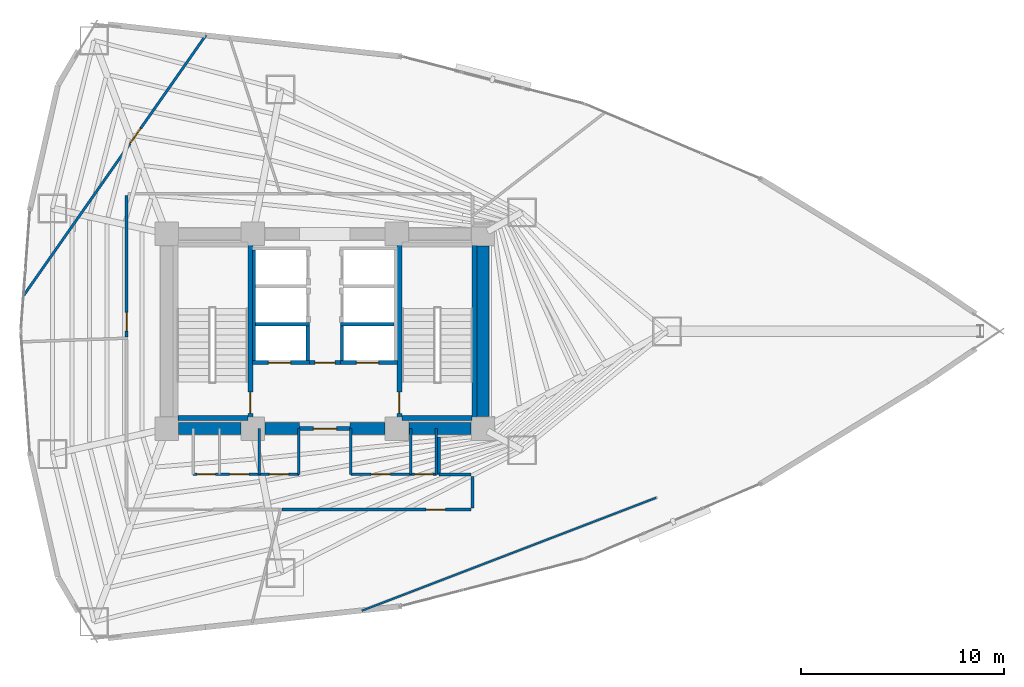
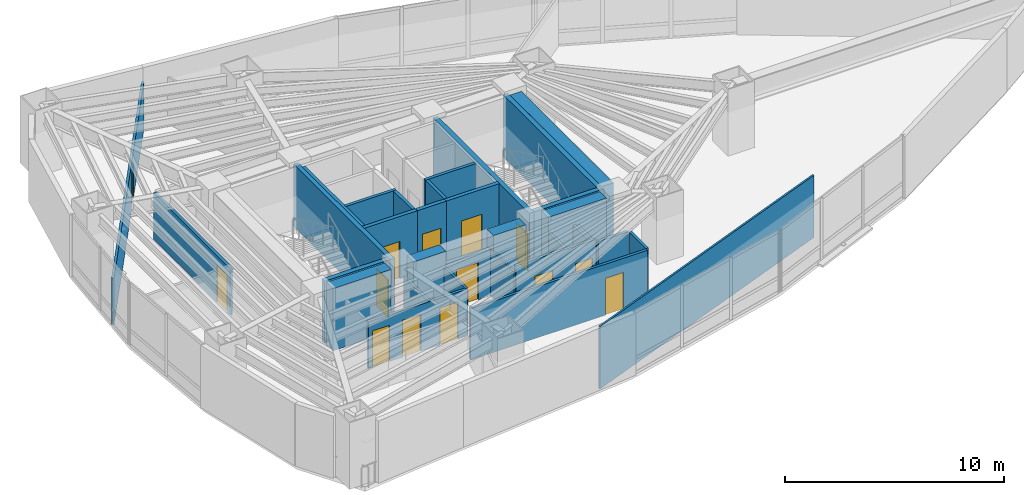
# One storey, part 15 of 20: 33 walls, 14 doors, 14 openings.
"""IFC4 building model written with IfcOpenShell, lengths in metres."""

from ifc_helpers import new_model, si_unit, direction, frame, frame_2d, origin, place, context, subcontext, project, spatial, rectangle, extrude, material, layer, layer_set, type_object, element, fill, save


model = new_model("IFC4")

# Units and contexts
model_context = context("Model", 3, precision=1e-05, world=origin(), true_north=direction((0.0, 1.0)))
body_context = subcontext(model_context, "Body", "Model", "MODEL_VIEW")
ifc_project = project(units=[si_unit("LENGTHUNIT", "METRE"), si_unit("AREAUNIT", "SQUARE_METRE"), si_unit("VOLUMEUNIT", "CUBIC_METRE"), si_unit("PLANEANGLEUNIT", "RADIAN"), si_unit("MASSUNIT", "GRAM", prefix="KILO")], contexts=[model_context])

# Site, building, storey
site_placement = place(None, origin())
site = spatial("IfcSite", under=ifc_project, at=site_placement, CompositionType="ELEMENT")
building_placement = place(site_placement, origin())
building = spatial("IfcBuilding", under=site, at=building_placement, Name="Menara Vayukalpa", CompositionType="ELEMENT")
storey_placement = place(building_placement, frame((0.0, 0.0, 61.080078125)))
storey = spatial("IfcBuildingStorey", under=building, at=storey_placement, Name="L14", CompositionType="ELEMENT", Elevation=61.080078125)

# Walls
ifc_material_1 = material(Name="Concrete C70/85", Category="concrete")
ifc_layer_1 = layer(ifc_material_1, 0.60009765625)
ifc_layer_set_1 = layer_set([ifc_layer_1], Name="Concrete C70/85")
wall_type_1 = type_object("IfcWallType", Name="WAL-CW600", PredefinedType="SHEAR", material=ifc_layer_set_1)
wall_1_placement = place(storey_placement, frame((18.39501953125, 17.199951171875, 0.0), z_axis=(0.0, 0.0, 1.0), x_axis=(1.0, 0.0, 0.0)))
element("IfcWall", 1, at=wall_1_placement, inside=storey, type_object=wall_type_1, Name="L14 Buttressed Core Shear Wall CWS1", PredefinedType="SHEAR", context=body_context, shape_type="SweptSolid", body=[
    extrude(rectangle(XDim=3.06005859375, YDim=0.60009765625, at=frame_2d((1.530029296875, 0.0))), origin(), (0.0, 0.0, 1.0), 3.469970703125),
])
wall_2_placement = place(storey_placement, frame((22.64501953125, 17.199951171875, 0.0), z_axis=(0.0, 0.0, 1.0), x_axis=(1.0, 0.0, 0.0)))
element("IfcWall", 2, at=wall_2_placement, inside=storey, type_object=wall_type_1, Name="L14 Buttressed Core Shear Wall CWS2", PredefinedType="SHEAR", context=body_context, shape_type="SweptSolid", body=[
    extrude(rectangle(XDim=1.705078125, YDim=0.60009765625, at=frame_2d((0.8525390625, 0.0))), origin(), (0.0, 0.0, 1.0), 3.469970703125),
])
wall_3_placement = place(storey_placement, frame((26.85009765625, 17.199951171875, 0.0), z_axis=(0.0, 0.0, 1.0), x_axis=(1.0, 0.0, 0.0)))
element("IfcWall", 3, at=wall_3_placement, inside=storey, type_object=wall_type_1, Name="L14 Buttressed Core Shear Wall CWS3", PredefinedType="SHEAR", context=body_context, shape_type="SweptSolid", body=[
    extrude(rectangle(XDim=1.704833984375, YDim=0.60009765625, at=frame_2d((0.8525390625, 0.0))), origin(), (0.0, 0.0, 1.0), 3.469970703125),
])
wall_4_placement = place(storey_placement, frame((29.7451171875, 17.199951171875, 0.0), z_axis=(0.0, 0.0, 1.0), x_axis=(1.0, 0.0, 0.0)))
element("IfcWall", 4, at=wall_4_placement, inside=storey, type_object=wall_type_1, Name="L14 Buttressed Core Shear Wall CWS4", PredefinedType="SHEAR", context=body_context, shape_type="SweptSolid", body=[
    extrude(rectangle(XDim=3.059814453125, YDim=0.60009765625, at=frame_2d((1.52978515625, 0.0))), origin(), (0.0, 0.0, 1.0), 3.469970703125),
])
wall_5_placement = place(storey_placement, frame((33.39990234375, 17.794921875, 0.0), z_axis=(0.0, 0.0, 1.0), x_axis=(0.0, 1.0, 0.0)))
element("IfcWall", 5, at=wall_5_placement, inside=storey, type_object=wall_type_1, Name="L14 Buttressed Core Shear Wall CWE1", PredefinedType="SHEAR", context=body_context, shape_type="SweptSolid", body=[
    extrude(rectangle(XDim=8.41015625, YDim=0.60009765625, at=frame_2d((4.205078125, 0.0))), origin(), (0.0, 0.0, 1.0), 3.469970703125),
])
ifc_material_2 = material(Name="Lightweight Concrete Blockwork C16/20", Category="masonry")
ifc_layer_2 = layer(ifc_material_2, 0.159912109375)
ifc_layer_set_2 = layer_set([ifc_layer_2], Name="Lightweight Concrete Blockwork C16/20")
wall_type_2 = type_object("IfcWallType", Name="WAL-FR150", PredefinedType="PARTITIONING", material=ifc_layer_set_2)
wall_6_placement = place(storey_placement, frame((22.10498046875, 20.56005859375, 0.0), z_axis=(0.0, 0.0, 1.0), x_axis=(0.0, 1.0, 0.0)))
element("IfcWall", 6, at=wall_6_placement, inside=storey, type_object=wall_type_2, Name="L14 Interior Partition IW-L14-SHW-WW", PredefinedType="PARTITIONING", context=body_context, shape_type="SweptSolid", body=[
    extrude(rectangle(XDim=5.449951171875, YDim=0.159912109375, at=frame_2d((2.72509765625, 0.0))), origin(), (0.0, 0.0, 1.0), 3.469970703125),
])
wall_7_placement = place(storey_placement, frame((24.7548828125, 20.56005859375, 0.0), z_axis=(0.0, 0.0, 1.0), x_axis=(0.0, 1.0, 0.0)))
element("IfcWall", 7, at=wall_7_placement, inside=storey, type_object=wall_type_2, Name="L14 Interior Partition IW-L14-SHW-W1E", PredefinedType="PARTITIONING", context=body_context, shape_type="SweptSolid", body=[
    extrude(rectangle(XDim=1.7099609375, YDim=0.159912109375, at=frame_2d((0.85498046875, 0.0))), origin(), (0.0, 0.0, 1.0), 3.469970703125),
])
wall_8_placement = place(storey_placement, frame((22.179931640625, 22.344970703125, 0.0), z_axis=(0.0, 0.0, 1.0), x_axis=(1.0, 0.0, 0.0)))
element("IfcWall", 8, at=wall_8_placement, inside=storey, type_object=wall_type_2, Name="L14 Interior Partition IW-L14-SHM-W12", PredefinedType="PARTITIONING", context=body_context, shape_type="SweptSolid", body=[
    extrude(rectangle(XDim=2.650146484375, YDim=0.159912109375, at=frame_2d((1.3251953125, 0.0))), origin(), (0.0, 0.0, 1.0), 3.469970703125),
])
wall_9_placement = place(storey_placement, frame((26.445068359375, 20.56005859375, 0.0), z_axis=(0.0, 0.0, 1.0), x_axis=(0.0, 1.0, 0.0)))
element("IfcWall", 9, at=wall_9_placement, inside=storey, type_object=wall_type_2, Name="L14 Interior Partition IW-L14-SHW-E1W", PredefinedType="PARTITIONING", context=body_context, shape_type="SweptSolid", body=[
    extrude(rectangle(XDim=1.7099609375, YDim=0.159912109375, at=frame_2d((0.85498046875, 0.0))), origin(), (0.0, 0.0, 1.0), 3.469970703125),
])
wall_10_placement = place(storey_placement, frame((26.3701171875, 22.344970703125, 0.0), z_axis=(0.0, 0.0, 1.0), x_axis=(1.0, 0.0, 0.0)))
element("IfcWall", 10, at=wall_10_placement, inside=storey, type_object=wall_type_2, Name="L14 Interior Partition IW-L14-SHM-E13", PredefinedType="PARTITIONING", context=body_context, shape_type="SweptSolid", body=[
    extrude(rectangle(XDim=2.64990234375, YDim=0.159912109375, at=frame_2d((1.324951171875, 0.0))), origin(), (0.0, 0.0, 1.0), 3.469970703125),
])

# Wall, opening, door
ifc_material_3 = material(Name="Lightweight Concrete Blockwork C16/20", Category="masonry")
ifc_layer_3 = layer(ifc_material_3, 0.199951171875)
ifc_layer_set_3 = layer_set([ifc_layer_3], Name="Lightweight Concrete Blockwork C16/20")
wall_type_3 = type_object("IfcWallType", Name="WAL-FR200", PredefinedType="PARTITIONING", material=ifc_layer_set_3)
wall_11_placement = place(storey_placement, frame((24.35009765625, 17.199951171875, 0.0), z_axis=(0.0, 0.0, 1.0), x_axis=(1.0, 0.0, 0.0)))
wall_11 = element("IfcWall", 11, at=wall_11_placement, inside=storey, type_object=wall_type_3, Name="L14 Interior Partition IW-L14-FFLS", PredefinedType="PARTITIONING", context=body_context, shape_type="SweptSolid", body=[
    extrude(rectangle(XDim=2.5, YDim=0.199951171875, at=frame_2d((1.25, 0.0))), origin(), (0.0, 0.0, 1.0), 2.599853515625),
])
opening_1_placement = place(wall_11_placement, frame((0.679931640625, 0.0, 0.0)))
opening_1 = element("IfcOpeningElement", 12, at=opening_1_placement, cuts=wall_11, Name="Opening ID2", PredefinedType="OPENING", context=body_context, shape_type="SweptSolid", body=[
    extrude(rectangle(XDim=1.14990234375, YDim=2.080078125, at=frame_2d((0.574951171875, 1.0400390625))), frame((0.0, 0.10986328125, 0.0), z_axis=(0.0, -1.0, 0.0), x_axis=(1.0, 0.0, 0.0)), (0.0, 0.0, 1.0), 0.219970703125),
])
ifc_material_4 = material(Name="Fire-Rated Powder-Coated Steel Door", Category="steel")
door_type_1 = type_object("IfcDoorType", Name="DR-FD60W", OperationType="NOTDEFINED", PredefinedType="DOOR", material=ifc_material_4)
door_1_placement = place(opening_1_placement, origin())
door_1 = element("IfcDoor", 13, at=door_1_placement, inside=storey, type_object=door_type_1, Name="L14 Interior Door DR-L14-FFLS", OperationType="SINGLE_SWING_RIGHT", OverallHeight=2.080078125, OverallWidth=1.14990234375, PredefinedType="DOOR", context=body_context, shape_type="SweptSolid", body=[
    extrude(rectangle(XDim=1.14990234375, YDim=2.080078125, at=frame_2d((0.574951171875, 1.0400390625))), frame((0.0, 0.02490234375, 0.0), z_axis=(0.0, -1.0, 0.0), x_axis=(1.0, 0.0, 0.0)), (0.0, 0.0, 1.0), 0.050048828125),
])
fill(opening_1, door_1)

wall_12_placement = place(storey_placement, frame((24.840087890625, 20.449951171875, 0.0), z_axis=(0.0, 0.0, 1.0), x_axis=(1.0, 0.0, 0.0)))
wall_12 = element("IfcWall", 14, at=wall_12_placement, inside=storey, type_object=wall_type_3, Name="L14 Interior Partition IW-L14-FFLN", PredefinedType="PARTITIONING", context=body_context, shape_type="SweptSolid", body=[
    extrude(rectangle(XDim=1.52001953125, YDim=0.199951171875, at=frame_2d((0.760009765625, 0.0))), origin(), (0.0, 0.0, 1.0), 3.469970703125),
])
opening_2_placement = place(wall_12_placement, frame((0.27001953125, 0.0, 0.0)))
opening_2 = element("IfcOpeningElement", 15, at=opening_2_placement, cuts=wall_12, Name="Opening ID3", PredefinedType="OPENING", context=body_context, shape_type="SweptSolid", body=[
    extrude(rectangle(XDim=0.97998046875, YDim=2.06005859375, at=frame_2d((0.489990234375, 1.030029296875))), frame((0.0, 0.10986328125, 0.0), z_axis=(0.0, -1.0, 0.0), x_axis=(1.0, 0.0, 0.0)), (0.0, 0.0, 1.0), 0.219970703125),
])
ifc_material_5 = material(Name="Fire-Rated Powder-Coated Steel Door", Category="steel")
door_type_2 = type_object("IfcDoorType", Name="DR-FD60", OperationType="NOTDEFINED", PredefinedType="DOOR", material=ifc_material_5)
door_2_placement = place(opening_2_placement, origin())
door_2 = element("IfcDoor", 16, at=door_2_placement, inside=storey, type_object=door_type_2, Name="L14 Interior Door DR-L14-FFLN", OperationType="SINGLE_SWING_LEFT", OverallHeight=2.06005859375, OverallWidth=0.97998046875, PredefinedType="DOOR", context=body_context, shape_type="SweptSolid", body=[
    extrude(rectangle(XDim=0.97998046875, YDim=2.06005859375, at=frame_2d((0.489990234375, 1.030029296875))), frame((0.0, 0.02490234375, 0.0), z_axis=(0.0, -1.0, 0.0), x_axis=(1.0, 0.0, 0.0)), (0.0, 0.0, 1.0), 0.050048828125),
])
fill(opening_2, door_2)

wall_13_placement = place(storey_placement, frame((22.030029296875, 20.449951171875, 0.0), z_axis=(0.0, 0.0, 1.0), x_axis=(1.0, 0.0, 0.0)))
wall_13 = element("IfcWall", 17, at=wall_13_placement, inside=storey, type_object=wall_type_3, Name="L14 Interior Partition IW-L14-SH-W1", PredefinedType="PARTITIONING", context=body_context, shape_type="SweptSolid", body=[
    extrude(rectangle(XDim=2.800048828125, YDim=0.199951171875, at=frame_2d((1.39990234375, 0.0))), origin(), (0.0, 0.0, 1.0), 3.469970703125),
])
opening_3_placement = place(wall_13_placement, frame((0.780029296875, 0.0, 0.0)))
opening_3 = element("IfcOpeningElement", 18, at=opening_3_placement, cuts=wall_13, Name="Opening LD1", PredefinedType="OPENING", context=body_context, shape_type="SweptSolid", body=[
    extrude(rectangle(XDim=1.10009765625, YDim=2.080078125, at=frame_2d((0.550048828125, 1.0400390625))), frame((0.0, 0.10986328125, 0.0), z_axis=(0.0, -1.0, 0.0), x_axis=(1.0, 0.0, 0.0)), (0.0, 0.0, 1.0), 0.219970703125),
])
ifc_material_6 = material(Name="Brushed Stainless Steel 316 Lift Door", Category="steel")
door_type_3 = type_object("IfcDoorType", Name="DR-LD110", OperationType="NOTDEFINED", PredefinedType="DOOR", material=ifc_material_6)
door_3_placement = place(opening_3_placement, origin())
door_3 = element("IfcDoor", 19, at=door_3_placement, inside=storey, type_object=door_type_3, Name="L14 Interior Door DR-L14-LD-W1", OperationType="DOUBLE_DOOR_SLIDING", OverallHeight=2.080078125, OverallWidth=1.10009765625, PredefinedType="DOOR", context=body_context, shape_type="SweptSolid", body=[
    extrude(rectangle(XDim=1.10009765625, YDim=2.080078125, at=frame_2d((0.550048828125, 1.0400390625))), frame((0.0, 0.02490234375, 0.0), z_axis=(0.0, -1.0, 0.0), x_axis=(1.0, 0.0, 0.0)), (0.0, 0.0, 1.0), 0.050048828125),
])
fill(opening_3, door_3)

wall_14_placement = place(storey_placement, frame((26.3701171875, 20.449951171875, 0.0), z_axis=(0.0, 0.0, 1.0), x_axis=(1.0, 0.0, 0.0)))
wall_14 = element("IfcWall", 20, at=wall_14_placement, inside=storey, type_object=wall_type_3, Name="L14 Interior Partition IW-L14-SH-E1", PredefinedType="PARTITIONING", context=body_context, shape_type="SweptSolid", body=[
    extrude(rectangle(XDim=2.7998046875, YDim=0.199951171875, at=frame_2d((1.39990234375, 0.0))), origin(), (0.0, 0.0, 1.0), 3.469970703125),
])
opening_4_placement = place(wall_14_placement, frame((0.780029296875, 0.0, 0.0)))
opening_4 = element("IfcOpeningElement", 21, at=opening_4_placement, cuts=wall_14, Name="Opening LD1", PredefinedType="OPENING", context=body_context, shape_type="SweptSolid", body=[
    extrude(rectangle(XDim=1.10009765625, YDim=2.080078125, at=frame_2d((0.550048828125, 1.0400390625))), frame((0.0, 0.10986328125, 0.0), z_axis=(0.0, -1.0, 0.0), x_axis=(1.0, 0.0, 0.0)), (0.0, 0.0, 1.0), 0.219970703125),
])
door_4_placement = place(opening_4_placement, origin())
door_4 = element("IfcDoor", 22, at=door_4_placement, inside=storey, type_object=door_type_3, Name="L14 Interior Door DR-L14-LD-E1", OperationType="DOUBLE_DOOR_SLIDING", OverallHeight=2.080078125, OverallWidth=1.10009765625, PredefinedType="DOOR", context=body_context, shape_type="SweptSolid", body=[
    extrude(rectangle(XDim=1.10009765625, YDim=2.080078125, at=frame_2d((0.550048828125, 1.0400390625))), frame((0.0, 0.02490234375, 0.0), z_axis=(0.0, -1.0, 0.0), x_axis=(1.0, 0.0, 0.0)), (0.0, 0.0, 1.0), 0.050048828125),
])
fill(opening_4, door_4)

# Walls
ifc_material_7 = material(Name="Glazed Demountable Office Partition", Category="glass")
ifc_layer_4 = layer(ifc_material_7, 0.094970703125)
ifc_layer_set_4 = layer_set([ifc_layer_4], Name="Glazed Demountable Office Partition")
wall_type_4 = type_object("IfcWallType", Name="WAL-PT100", PredefinedType="PARTITIONING", material=ifc_layer_set_4)
wall_15_placement = place(storey_placement, frame((27.423583984375, 8.222412109375, 0.0), z_axis=(0.0, 0.0, 1.0), x_axis=(0.933580686024, 0.358367273454, 0.0)))
element("IfcWall", 23, at=wall_15_placement, inside=storey, type_object=wall_type_4, Name="L14 Interior Partition IW-L14-RDIV06", PredefinedType="PARTITIONING", context=body_context, shape_type="SweptSolid", body=[
    extrude(rectangle(XDim=15.5380859375, YDim=0.094970703125, at=frame_2d((7.76904296875, 0.0))), origin(), (0.0, 0.0, 1.0), 3.469970703125),
])
ifc_material_8 = material(Name="Acoustic Mineral Stud Partition", Category="masonry")
ifc_layer_5 = layer(ifc_material_8, 0.110107421875)
ifc_layer_set_5 = layer_set([ifc_layer_5], Name="Acoustic Mineral Stud Partition")
wall_type_5 = type_object("IfcWallType", Name="WAL-PT110", PredefinedType="PARTITIONING", material=ifc_layer_set_5)
wall_16_placement = place(storey_placement, frame((26.8798828125, 14.949951171875, 0.0), z_axis=(0.0, 0.0, 1.0), x_axis=(0.0, 1.0, 0.0)))
element("IfcWall", 24, at=wall_16_placement, inside=storey, type_object=wall_type_5, Name="L14 Interior Partition IW-L14-SVCD-05", PredefinedType="PARTITIONING", context=body_context, shape_type="SweptSolid", body=[
    extrude(rectangle(XDim=2.25, YDim=0.110107421875, at=frame_2d((1.125, 0.0))), origin(), (0.0, 0.0, 1.0), 2.599853515625),
])
ifc_material_9 = material(Name="Gypsum Drywall Steel Stud Assembly", Category="steel")
ifc_layer_6 = layer(ifc_material_9, 0.125)
ifc_layer_set_6 = layer_set([ifc_layer_6], Name="Gypsum Drywall Steel Stud Assembly")
wall_type_6 = type_object("IfcWallType", Name="WAL-PT125", PredefinedType="PARTITIONING", material=ifc_layer_set_6)
for number, where, z_axis, x_axis, name in (
    (25, (22.360107421875, 14.949951171875, 0.0), (0.0, 0.0, 1.0), (0.0, 1.0, 0.0), "L14 Interior Partition IW-L14-SVCD-03"),
    (26, (24.320068359375, 14.949951171875, 0.0), (0.0, 0.0, 1.0), (0.0, 1.0, 0.0), "L14 Interior Partition IW-L14-SVCD-04"),
    (27, (29.830078125, 14.949951171875, 0.0), (0.0, 0.0, 1.0), (0.0, 1.0, 0.0), "L14 Interior Partition IW-L14-SVCD-06"),
    (28, (31.10009765625, 14.949951171875, 0.0), (0.0, 0.0, 1.0), (0.0, 1.0, 0.0), "L14 Interior Partition IW-L14-SVCD-07"),
):
    element("IfcWall", number, at=place(storey_placement, frame(where, z_axis=z_axis, x_axis=x_axis)), inside=storey, type_object=wall_type_6, Name=name, PredefinedType="PARTITIONING", context=body_context, shape_type="SweptSolid", body=[
        extrude(rectangle(XDim=2.25, YDim=0.125, at=frame_2d((1.125, 0.0))), origin(), (0.0, 0.0, 1.0), 2.599853515625),
    ])

# Wall, opening, door
wall_17_placement = place(storey_placement, frame((19.73681640625, 36.6005859375, 0.0), z_axis=(0.0, 0.0, 1.0), x_axis=(-0.573585467262, -0.819145720703, 0.0)))
wall_17 = element("IfcWall", 29, at=wall_17_placement, inside=storey, type_object=wall_type_6, Name="L14 Interior Partition IW-L14-RDIV05", PredefinedType="PARTITIONING", context=body_context, shape_type="SweptSolid", body=[
    extrude(rectangle(XDim=15.70263671875, YDim=0.125, at=frame_2d((7.851318359375, 0.0))), origin(), (0.0, 0.0, 1.0), 2.599853515625),
])
opening_5_placement = place(wall_17_placement, frame((5.613525390625, 0.0, 0.0)))
opening_5 = element("IfcOpeningElement", 30, at=opening_5_placement, cuts=wall_17, Name="Opening ID6", PredefinedType="OPENING", context=body_context, shape_type="SweptSolid", body=[
    extrude(rectangle(XDim=0.919921875, YDim=2.050048828125, at=frame_2d((0.4599609375, 1.02490234375))), frame((0.0, 0.072509765625, 0.0), z_axis=(0.0, -1.0, 0.0), x_axis=(1.0, 0.0, 0.0)), (0.0, 0.0, 1.0), 0.14501953125),
])
ifc_material_10 = material(Name="Acoustic Hardwood Veneer Timber Door", Category="wood")
door_type_4 = type_object("IfcDoorType", Name="DR-INT92", OperationType="NOTDEFINED", PredefinedType="DOOR", material=ifc_material_10)
door_5_placement = place(opening_5_placement, origin())
door_5 = element("IfcDoor", 31, at=door_5_placement, inside=storey, type_object=door_type_4, Name="L14 Interior Door DR-L14-STE05", OperationType="SINGLE_SWING_LEFT", OverallHeight=2.050048828125, OverallWidth=0.919921875, PredefinedType="DOOR", context=body_context, shape_type="SweptSolid", body=[
    extrude(rectangle(XDim=0.919921875, YDim=2.050048828125, at=frame_2d((0.4599609375, 1.02490234375))), frame((0.0, 0.02490234375, 0.0), z_axis=(0.0, -1.0, 0.0), x_axis=(1.0, 0.0, 0.0)), (0.0, 0.0, 1.0), 0.050048828125),
])
fill(opening_5, door_5)

# Wall, openings, doors
ifc_material_11 = material(Name="Gypsum Drywall Acoustic Stud Assembly", Category="masonry")
ifc_layer_7 = layer(ifc_material_11, 0.14501953125)
ifc_layer_set_7 = layer_set([ifc_layer_7], Name="Gypsum Drywall Acoustic Stud Assembly")
wall_type_7 = type_object("IfcWallType", Name="WAL-PT150", PredefinedType="PARTITIONING", material=ifc_layer_set_7)
wall_18_placement = place(storey_placement, frame((19.10009765625, 14.949951171875, 0.0), z_axis=(0.0, 0.0, 1.0), x_axis=(1.0, 0.0, 0.0)))
wall_18 = element("IfcWall", 32, at=wall_18_placement, inside=storey, type_object=wall_type_7, Name="L14 Interior Partition IW-L14-SVCS-W", PredefinedType="PARTITIONING", context=body_context, shape_type="SweptSolid", body=[
    extrude(rectangle(XDim=5.219970703125, YDim=0.14501953125, at=frame_2d((2.60986328125, 0.0))), origin(), (0.0, 0.0, 1.0), 2.599853515625),
])
opening_6_placement = place(wall_18_placement, frame((0.199951171875, 0.0, 0.0)))
opening_6 = element("IfcOpeningElement", 33, at=opening_6_placement, cuts=wall_18, Name="Opening ID7", PredefinedType="OPENING", context=body_context, shape_type="SweptSolid", body=[
    extrude(rectangle(XDim=0.89990234375, YDim=2.02001953125, at=frame_2d((0.449951171875, 1.010009765625))), frame((0.0, 0.08251953125, 0.0), z_axis=(0.0, -1.0, 0.0), x_axis=(1.0, 0.0, 0.0)), (0.0, 0.0, 1.0), 0.1650390625),
])
opening_7_placement = place(wall_18_placement, frame((1.804931640625, 0.0, 0.0)))
opening_7 = element("IfcOpeningElement", 34, at=opening_7_placement, cuts=wall_18, Name="Opening ID5", PredefinedType="OPENING", context=body_context, shape_type="SweptSolid", body=[
    extrude(rectangle(XDim=0.949951171875, YDim=2.06005859375, at=frame_2d((0.47509765625, 1.030029296875))), frame((0.0, 0.08251953125, 0.0), z_axis=(0.0, -1.0, 0.0), x_axis=(1.0, 0.0, 0.0)), (0.0, 0.0, 1.0), 0.1650390625),
])
opening_8_placement = place(wall_18_placement, frame((3.764892578125, 0.0, 0.0)))
opening_8 = element("IfcOpeningElement", 35, at=opening_8_placement, cuts=wall_18, Name="Opening ID5", PredefinedType="OPENING", context=body_context, shape_type="SweptSolid", body=[
    extrude(rectangle(XDim=0.949951171875, YDim=2.06005859375, at=frame_2d((0.47509765625, 1.030029296875))), frame((0.0, 0.08251953125, 0.0), z_axis=(0.0, -1.0, 0.0), x_axis=(1.0, 0.0, 0.0)), (0.0, 0.0, 1.0), 0.1650390625),
])
ifc_material_12 = material(Name="Acoustic Hardwood Veneer Timber Door", Category="wood")
door_type_5 = type_object("IfcDoorType", Name="DR-INT95", OperationType="NOTDEFINED", PredefinedType="DOOR", material=ifc_material_12)
door_6_placement = place(opening_7_placement, origin())
door_6 = element("IfcDoor", 36, at=door_6_placement, inside=storey, type_object=door_type_5, Name="L14 Interior Door DR-L14-AWC", OperationType="SINGLE_SWING_LEFT", OverallHeight=2.06005859375, OverallWidth=0.949951171875, PredefinedType="DOOR", context=body_context, shape_type="SweptSolid", body=[
    extrude(rectangle(XDim=0.949951171875, YDim=2.06005859375, at=frame_2d((0.47509765625, 1.030029296875))), frame((0.0, 0.02490234375, 0.0), z_axis=(0.0, -1.0, 0.0), x_axis=(1.0, 0.0, 0.0)), (0.0, 0.0, 1.0), 0.050048828125),
])
fill(opening_7, door_6)
door_7_placement = place(opening_8_placement, origin())
door_7 = element("IfcDoor", 37, at=door_7_placement, inside=storey, type_object=door_type_5, Name="L14 Interior Door DR-L14-SWC", OperationType="SINGLE_SWING_RIGHT", OverallHeight=2.06005859375, OverallWidth=0.949951171875, PredefinedType="DOOR", context=body_context, shape_type="SweptSolid", body=[
    extrude(rectangle(XDim=0.949951171875, YDim=2.06005859375, at=frame_2d((0.47509765625, 1.030029296875))), frame((0.0, 0.02490234375, 0.0), z_axis=(0.0, -1.0, 0.0), x_axis=(1.0, 0.0, 0.0)), (0.0, 0.0, 1.0), 0.050048828125),
])
fill(opening_8, door_7)
ifc_material_13 = material(Name="Powder-Coated Steel Riser Access Door", Category="steel")
door_type_6 = type_object("IfcDoorType", Name="DR-RISER", OperationType="NOTDEFINED", PredefinedType="DOOR", material=ifc_material_13)
door_8_placement = place(opening_6_placement, origin())
door_8 = element("IfcDoor", 38, at=door_8_placement, inside=storey, type_object=door_type_6, Name="L14 Interior Door DR-L14-ELR", OperationType="SINGLE_SWING_RIGHT", OverallHeight=2.02001953125, OverallWidth=0.89990234375, PredefinedType="DOOR", context=body_context, shape_type="SweptSolid", body=[
    extrude(rectangle(XDim=0.89990234375, YDim=2.02001953125, at=frame_2d((0.449951171875, 1.010009765625))), frame((0.0, 0.02490234375, 0.0), z_axis=(0.0, -1.0, 0.0), x_axis=(1.0, 0.0, 0.0)), (0.0, 0.0, 1.0), 0.050048828125),
])
fill(opening_6, door_8)

wall_19_placement = place(storey_placement, frame((26.8798828125, 14.949951171875, 0.0), z_axis=(0.0, 0.0, 1.0), x_axis=(1.0, 0.0, 0.0)))
wall_19 = element("IfcWall", 39, at=wall_19_placement, inside=storey, type_object=wall_type_7, Name="L14 Interior Partition IW-L14-SVCS-E", PredefinedType="PARTITIONING", context=body_context, shape_type="SweptSolid", body=[
    extrude(rectangle(XDim=4.22021484375, YDim=0.14501953125, at=frame_2d((2.110107421875, 0.0))), origin(), (0.0, 0.0, 1.0), 3.0),
])
opening_9_placement = place(wall_19_placement, frame((0.9951171875, 0.0, 0.0)))
opening_9 = element("IfcOpeningElement", 40, at=opening_9_placement, cuts=wall_19, Name="Opening ID5", PredefinedType="OPENING", context=body_context, shape_type="SweptSolid", body=[
    extrude(rectangle(XDim=0.949951171875, YDim=2.06005859375, at=frame_2d((0.47509765625, 1.030029296875))), frame((0.0, 0.08251953125, 0.0), z_axis=(0.0, -1.0, 0.0), x_axis=(1.0, 0.0, 0.0)), (0.0, 0.0, 1.0), 0.1650390625),
])
opening_10_placement = place(wall_19_placement, frame((3.139892578125, 0.0, 0.0)))
opening_10 = element("IfcOpeningElement", 41, at=opening_10_placement, cuts=wall_19, Name="Opening ID7", PredefinedType="OPENING", context=body_context, shape_type="SweptSolid", body=[
    extrude(rectangle(XDim=0.89990234375, YDim=2.02001953125, at=frame_2d((0.449951171875, 1.010009765625))), frame((0.0, 0.08251953125, 0.0), z_axis=(0.0, -1.0, 0.0), x_axis=(1.0, 0.0, 0.0)), (0.0, 0.0, 1.0), 0.1650390625),
])
door_9_placement = place(opening_9_placement, origin())
door_9 = element("IfcDoor", 42, at=door_9_placement, inside=storey, type_object=door_type_5, Name="L14 Interior Door DR-L14-KSV1", OperationType="SINGLE_SWING_LEFT", OverallHeight=2.06005859375, OverallWidth=0.949951171875, PredefinedType="DOOR", context=body_context, shape_type="SweptSolid", body=[
    extrude(rectangle(XDim=0.949951171875, YDim=2.06005859375, at=frame_2d((0.47509765625, 1.030029296875))), frame((0.0, 0.02490234375, 0.0), z_axis=(0.0, -1.0, 0.0), x_axis=(1.0, 0.0, 0.0)), (0.0, 0.0, 1.0), 0.050048828125),
])
fill(opening_9, door_9)
door_10_placement = place(opening_10_placement, origin())
door_10 = element("IfcDoor", 43, at=door_10_placement, inside=storey, type_object=door_type_6, Name="L14 Interior Door DR-L14-SMD", OperationType="SINGLE_SWING_RIGHT", OverallHeight=2.02001953125, OverallWidth=0.89990234375, PredefinedType="DOOR", context=body_context, shape_type="SweptSolid", body=[
    extrude(rectangle(XDim=0.89990234375, YDim=2.02001953125, at=frame_2d((0.449951171875, 1.010009765625))), frame((0.0, 0.02490234375, 0.0), z_axis=(0.0, -1.0, 0.0), x_axis=(1.0, 0.0, 0.0)), (0.0, 0.0, 1.0), 0.050048828125),
])
fill(opening_10, door_10)

# Wall, opening, door
wall_20_placement = place(storey_placement, frame((23.48046875, 13.2099609375, 0.0), z_axis=(0.0, 0.0, 1.0), x_axis=(1.0, 0.0, 0.0)))
wall_20 = element("IfcWall", 44, at=wall_20_placement, inside=storey, type_object=wall_type_7, Name="L14 Interior Partition IW-L14-CRM03-1", PredefinedType="PARTITIONING", context=body_context, shape_type="SweptSolid", body=[
    extrude(rectangle(XDim=9.319580078125, YDim=0.14501953125, at=frame_2d((4.65966796875, 0.0))), origin(), (0.0, 0.0, 1.0), 2.849853515625),
])
opening_11_placement = place(wall_20_placement, frame((7.11328125, 0.0, 0.0)))
opening_11 = element("IfcOpeningElement", 45, at=opening_11_placement, cuts=wall_20, Name="Opening ID5", PredefinedType="OPENING", context=body_context, shape_type="SweptSolid", body=[
    extrude(rectangle(XDim=0.949951171875, YDim=2.06005859375, at=frame_2d((0.47509765625, 1.030029296875))), frame((0.0, 0.08251953125, 0.0), z_axis=(0.0, -1.0, 0.0), x_axis=(1.0, 0.0, 0.0)), (0.0, 0.0, 1.0), 0.1650390625),
])
door_11_placement = place(opening_11_placement, origin())
door_11 = element("IfcDoor", 46, at=door_11_placement, inside=storey, type_object=door_type_5, Name="L14 Interior Door DR-L14-RM03", OperationType="SINGLE_SWING_RIGHT", OverallHeight=2.06005859375, OverallWidth=0.949951171875, PredefinedType="DOOR", context=body_context, shape_type="SweptSolid", body=[
    extrude(rectangle(XDim=0.949951171875, YDim=2.06005859375, at=frame_2d((0.47509765625, 1.030029296875))), frame((0.0, 0.02490234375, 0.0), z_axis=(0.0, -1.0, 0.0), x_axis=(1.0, 0.0, 0.0)), (0.0, 0.0, 1.0), 0.050048828125),
])
fill(opening_11, door_11)

# Walls
wall_21_placement = place(storey_placement, frame((32.8798828125, 13.2900390625, 0.0), z_axis=(0.0, 0.0, 1.0), x_axis=(0.0, 1.0, 0.0)))
element("IfcWall", 47, at=wall_21_placement, inside=storey, type_object=wall_type_7, Name="L14 Interior Partition IW-L14-CRM03-2", PredefinedType="PARTITIONING", context=body_context, shape_type="SweptSolid", body=[
    extrude(rectangle(XDim=1.56005859375, YDim=0.14501953125, at=frame_2d((0.780029296875, 0.0))), origin(), (0.0, 0.0, 1.0), 2.849853515625),
])
wall_22_placement = place(storey_placement, frame((32.800048828125, 14.929931640625, 0.0), z_axis=(0.0, 0.0, 1.0), x_axis=(-1.0, 0.0, 0.0)))
element("IfcWall", 48, at=wall_22_placement, inside=storey, type_object=wall_type_7, Name="L14 Interior Partition IW-L14-CRM03-3", PredefinedType="PARTITIONING", context=body_context, shape_type="SweptSolid", body=[
    extrude(rectangle(XDim=1.580078125, YDim=0.14501953125, at=frame_2d((0.7900390625, 0.0))), origin(), (0.0, 0.0, 1.0), 2.849853515625),
])
wall_23_placement = place(storey_placement, frame((31.219970703125, 14.929931640625, 0.0), z_axis=(0.0, 0.0, 1.0), x_axis=(0.0, 1.0, 0.0)))
element("IfcWall", 49, at=wall_23_placement, inside=storey, type_object=wall_type_7, Name="L14 Interior Partition IW-L14-CRM03-4", PredefinedType="PARTITIONING", context=body_context, shape_type="SweptSolid", body=[
    extrude(rectangle(XDim=1.85009765625, YDim=0.14501953125, at=frame_2d((0.925048828125, 0.0))), origin(), (0.0, 0.0, 1.0), 2.599853515625),
])

# Wall, opening, door
wall_24_placement = place(storey_placement, frame((15.820068359375, 28.699951171875, 0.0), z_axis=(0.0, 0.0, 1.0), x_axis=(0.0, -1.0, 0.0)))
wall_24 = element("IfcWall", 50, at=wall_24_placement, inside=storey, type_object=wall_type_7, Name="L14 Interior Partition IW-L14-CRM06-2", PredefinedType="PARTITIONING", context=body_context, shape_type="SweptSolid", body=[
    extrude(rectangle(XDim=6.971435546875, YDim=0.14501953125, at=frame_2d((3.48583984375, 0.0))), origin(), (0.0, 0.0, 1.0), 2.599853515625),
])
opening_12_placement = place(wall_24_placement, frame((5.771484375, 0.0, 0.0)))
opening_12 = element("IfcOpeningElement", 51, at=opening_12_placement, cuts=wall_24, Name="Opening ID6", PredefinedType="OPENING", context=body_context, shape_type="SweptSolid", body=[
    extrude(rectangle(XDim=0.919921875, YDim=2.050048828125, at=frame_2d((0.4599609375, 1.02490234375))), frame((0.0, 0.08251953125, 0.0), z_axis=(0.0, -1.0, 0.0), x_axis=(1.0, 0.0, 0.0)), (0.0, 0.0, 1.0), 0.1650390625),
])
door_12_placement = place(opening_12_placement, origin())
door_12 = element("IfcDoor", 52, at=door_12_placement, inside=storey, type_object=door_type_4, Name="L14 Interior Door DR-L14-RM06", OperationType="SINGLE_SWING_RIGHT", OverallHeight=2.050048828125, OverallWidth=0.919921875, PredefinedType="DOOR", context=body_context, shape_type="SweptSolid", body=[
    extrude(rectangle(XDim=0.919921875, YDim=2.050048828125, at=frame_2d((0.4599609375, 1.02490234375))), frame((0.0, 0.02490234375, 0.0), z_axis=(0.0, -1.0, 0.0), x_axis=(1.0, 0.0, 0.0)), (0.0, 0.0, 1.0), 0.050048828125),
])
fill(opening_12, door_12)

ifc_material_14 = material(Name="Concrete C50/60", Category="concrete")
ifc_layer_8 = layer(ifc_material_14, 0.25)
ifc_layer_set_8 = layer_set([ifc_layer_8], Name="Concrete C50/60")
wall_type_8 = type_object("IfcWallType", Name="WAL-SW250", PredefinedType="SHEAR", material=ifc_layer_set_8)
wall_25_placement = place(storey_placement, frame((21.925048828125, 17.60009765625, 0.0), z_axis=(0.0, 0.0, 1.0), x_axis=(0.0, 1.0, 0.0)))
wall_25 = element("IfcWall", 53, at=wall_25_placement, inside=storey, type_object=wall_type_8, Name="L14 ST1 Structural Stair Shaft Wall E", PredefinedType="SHEAR", context=body_context, shape_type="SweptSolid", body=[
    extrude(rectangle(XDim=8.7998046875, YDim=0.25, at=frame_2d((4.39990234375, 0.0))), origin(), (0.0, 0.0, 1.0), 3.469970703125),
])
opening_13_placement = place(wall_25_placement, frame((0.35009765625, 0.0, 0.0)))
opening_13 = element("IfcOpeningElement", 54, at=opening_13_placement, cuts=wall_25, Name="Opening ID1", PredefinedType="OPENING", context=body_context, shape_type="SweptSolid", body=[
    extrude(rectangle(XDim=1.050048828125, YDim=2.080078125, at=frame_2d((0.52490234375, 1.0400390625))), frame((0.0, 0.135009765625, 0.0), z_axis=(0.0, -1.0, 0.0), x_axis=(1.0, 0.0, 0.0)), (0.0, 0.0, 1.0), 0.27001953125),
])
ifc_material_15 = material(Name="Fire-Rated Powder-Coated Steel Door", Category="steel")
door_type_7 = type_object("IfcDoorType", Name="DR-FD120", OperationType="NOTDEFINED", PredefinedType="DOOR", material=ifc_material_15)
door_13_placement = place(opening_13_placement, origin())
door_13 = element("IfcDoor", 55, at=door_13_placement, inside=storey, type_object=door_type_7, Name="L14 Stair Exit Door DR-L14-ST1", OperationType="SINGLE_SWING_LEFT", OverallHeight=2.080078125, OverallWidth=1.050048828125, PredefinedType="DOOR", context=body_context, shape_type="SweptSolid", body=[
    extrude(rectangle(XDim=1.050048828125, YDim=2.080078125, at=frame_2d((0.52490234375, 1.0400390625))), frame((0.0, 0.02490234375, 0.0), z_axis=(0.0, -1.0, 0.0), x_axis=(1.0, 0.0, 0.0)), (0.0, 0.0, 1.0), 0.050048828125),
])
fill(opening_13, door_13)

# Wall
wall_26_placement = place(storey_placement, frame((18.35400390625, 17.72509765625, 0.0), z_axis=(0.0, 0.0, 1.0), x_axis=(1.0, 0.0, 0.0)))
element("IfcWall", 56, at=wall_26_placement, inside=storey, type_object=wall_type_8, Name="L14 ST1 Structural Stair Shaft Wall S", PredefinedType="SHEAR", context=body_context, shape_type="SweptSolid", body=[
    extrude(rectangle(XDim=3.446044921875, YDim=0.25, at=frame_2d((1.72314453125, 0.0))), origin(), (0.0, 0.0, 1.0), 3.469970703125),
])

# Wall, opening, door
wall_27_placement = place(storey_placement, frame((29.27490234375, 17.60009765625, 0.0), z_axis=(0.0, 0.0, 1.0), x_axis=(0.0, 1.0, 0.0)))
wall_27 = element("IfcWall", 57, at=wall_27_placement, inside=storey, type_object=wall_type_8, Name="L14 ST2 Structural Stair Shaft Wall W", PredefinedType="SHEAR", context=body_context, shape_type="SweptSolid", body=[
    extrude(rectangle(XDim=8.7998046875, YDim=0.25, at=frame_2d((4.39990234375, 0.0))), origin(), (0.0, 0.0, 1.0), 3.469970703125),
])
opening_14_placement = place(wall_27_placement, frame((0.35009765625, 0.0, 0.0)))
opening_14 = element("IfcOpeningElement", 58, at=opening_14_placement, cuts=wall_27, Name="Opening ID1", PredefinedType="OPENING", context=body_context, shape_type="SweptSolid", body=[
    extrude(rectangle(XDim=1.050048828125, YDim=2.080078125, at=frame_2d((0.52490234375, 1.0400390625))), frame((0.0, 0.135009765625, 0.0), z_axis=(0.0, -1.0, 0.0), x_axis=(1.0, 0.0, 0.0)), (0.0, 0.0, 1.0), 0.27001953125),
])
door_14_placement = place(opening_14_placement, origin())
door_14 = element("IfcDoor", 59, at=door_14_placement, inside=storey, type_object=door_type_7, Name="L14 Stair Exit Door DR-L14-ST2", OperationType="SINGLE_SWING_RIGHT", OverallHeight=2.080078125, OverallWidth=1.050048828125, PredefinedType="DOOR", context=body_context, shape_type="SweptSolid", body=[
    extrude(rectangle(XDim=1.050048828125, YDim=2.080078125, at=frame_2d((0.52490234375, 1.0400390625))), frame((0.0, 0.02490234375, 0.0), z_axis=(0.0, -1.0, 0.0), x_axis=(1.0, 0.0, 0.0)), (0.0, 0.0, 1.0), 0.050048828125),
])
fill(opening_14, door_14)

# Walls
wall_28_placement = place(storey_placement, frame((32.970947265625, 17.60009765625, 0.0), z_axis=(0.0, 0.0, 1.0), x_axis=(0.0, 1.0, 0.0)))
element("IfcWall", 60, at=wall_28_placement, inside=storey, type_object=wall_type_8, Name="L14 ST2 Structural Stair Shaft Wall E", PredefinedType="SHEAR", context=body_context, shape_type="SweptSolid", body=[
    extrude(rectangle(XDim=8.7998046875, YDim=0.25, at=frame_2d((4.39990234375, 0.0))), origin(), (0.0, 0.0, 1.0), 3.469970703125),
])
wall_29_placement = place(storey_placement, frame((29.39990234375, 17.72509765625, 0.0), z_axis=(0.0, 0.0, 1.0), x_axis=(1.0, 0.0, 0.0)))
element("IfcWall", 61, at=wall_29_placement, inside=storey, type_object=wall_type_8, Name="L14 ST2 Structural Stair Shaft Wall S", PredefinedType="SHEAR", context=body_context, shape_type="SweptSolid", body=[
    extrude(rectangle(XDim=3.446044921875, YDim=0.25, at=frame_2d((1.72314453125, 0.0))), origin(), (0.0, 0.0, 1.0), 3.469970703125),
])

save(model, "model.ifc")
